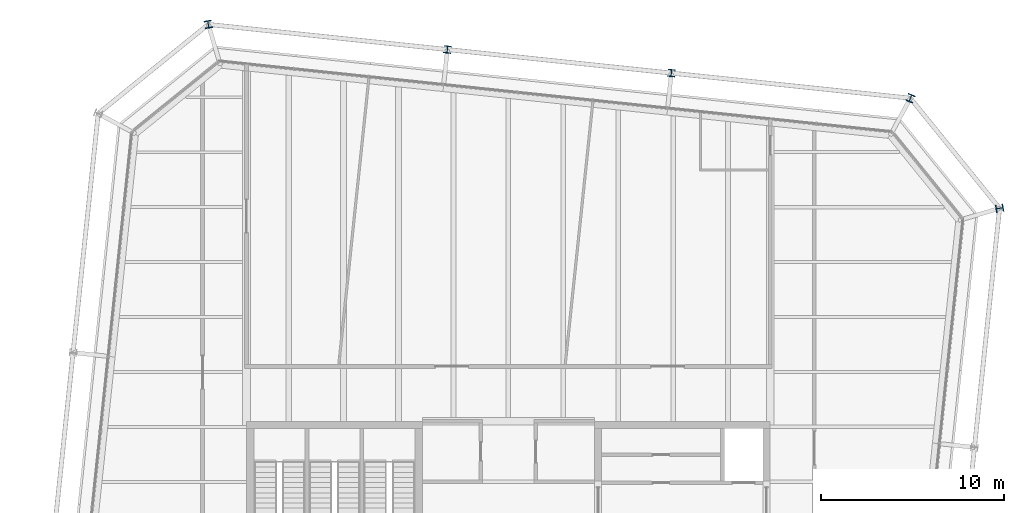
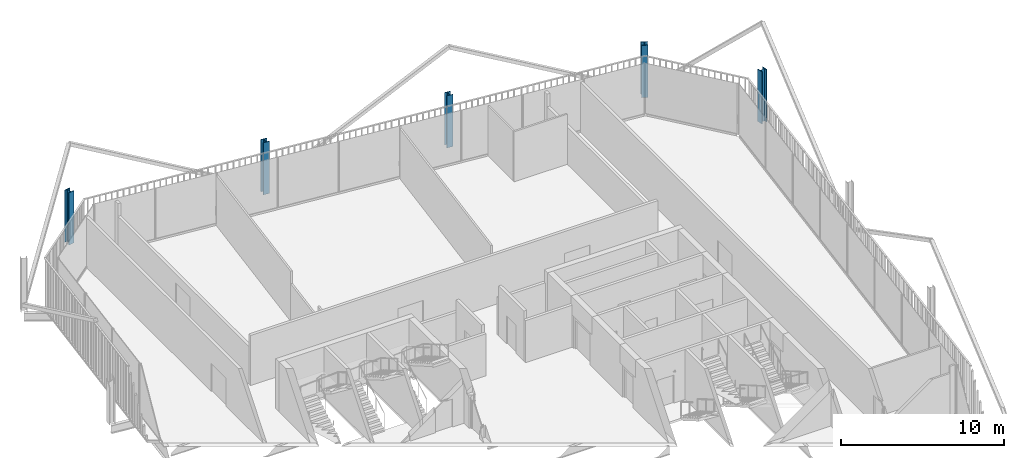
# One storey, part 2 of 21: 5 columns.
"""IFC4 building model written with IfcOpenShell, lengths in metres."""

from ifc_helpers import new_model, si_unit, direction, frame, origin, origin_2d, place, context, subcontext, project, spatial, i_section, extrude, material, material_profile, profile_set, type_object, element, save


model = new_model("IFC4")

# Units and contexts
model_context = context("Model", 3, precision=1e-05, world=origin(), true_north=direction((0.0, 1.0)))
body_context = subcontext(model_context, "Body", "Model", "MODEL_VIEW")
ifc_project = project(units=[si_unit("LENGTHUNIT", "METRE"), si_unit("AREAUNIT", "SQUARE_METRE"), si_unit("VOLUMEUNIT", "CUBIC_METRE"), si_unit("PLANEANGLEUNIT", "RADIAN"), si_unit("MASSUNIT", "GRAM", prefix="KILO")], contexts=[model_context])

# Site, building, storey
site_placement = place(None, origin())
site = spatial("IfcSite", under=ifc_project, at=site_placement, CompositionType="ELEMENT")
building_placement = place(site_placement, origin())
building = spatial("IfcBuilding", under=site, at=building_placement, Name="Millrace Tower", CompositionType="ELEMENT")
storey_placement = place(building_placement, frame((0.0, 0.0, 299.39990234375)))
storey = spatial("IfcBuildingStorey", under=building, at=storey_placement, Name="L69", CompositionType="ELEMENT", Elevation=299.39990234375)

# Columns
ifc_material_1 = material(Name="Steel ASTM A913 Grade 65", Category="steel")
ifc_material_profile_1 = material_profile(ifc_material_1, i_section(OverallWidth=0.4013671875, OverallDepth=0.398681640625, WebThickness=0.02490234375, FlangeThickness=0.03955078125, FilletRadius=0.01513671875, at=origin_2d()))
ifc_profile_set_1 = profile_set([ifc_material_profile_1], Name="Steel ASTM A913 Grade 65")
column_type_1 = type_object("IfcColumnType", Name="Exoskeleton column W14x211", PredefinedType="COLUMN", material=ifc_profile_set_1)
for number, where, z_axis, x_axis, name in (
    (1, (8.9033203125, 28.321533203125, 0.0), (0.0, 0.0, 1.0), (-0.994521897246, 0.104528445407, 0.0), "COL-E-L69-X11"),
    (2, (-3.329345703125, 29.607177734375, 0.0), (0.0, 0.0, 1.0), (-0.994521897246, 0.104528445407, 0.0), "COL-E-L69-X12"),
):
    element("IfcColumn", number, at=place(storey_placement, frame(where, z_axis=z_axis, x_axis=x_axis)), inside=storey, type_object=column_type_1, Name=name, PredefinedType="COLUMN", context=body_context, shape_type="SweptSolid", body=[
        extrude(i_section(OverallWidth=0.4013671875, OverallDepth=0.398681640625, WebThickness=0.02490234375, FlangeThickness=0.03955078125, FilletRadius=0.01513671875, at=origin_2d()), origin(), (0.0, 0.0, 1.0), 3.900146484375),
    ])
ifc_material_2 = material(Name="Steel ASTM A913 Grade 65", Category="steel")
ifc_material_profile_2 = material_profile(ifc_material_2, i_section(OverallWidth=0.406494140625, OverallDepth=0.41650390625, WebThickness=0.030029296875, FlangeThickness=0.048095703125, FilletRadius=0.01513671875, at=origin_2d()))
ifc_profile_set_2 = profile_set([ifc_material_profile_2], Name="Steel ASTM A913 Grade 65")
column_type_2 = type_object("IfcColumnType", Name="Exoskeleton column W14x257", PredefinedType="COLUMN", material=ifc_profile_set_2)
for number, where, z_axis, x_axis, name in (
    (3, (26.82958984375, 20.935791015625, 0.0), (0.0, 0.0, 1.0), (-0.18038747256, 0.983595628164, 0.0), "COL-E-L69-X09"),
    (4, (21.9599609375, 26.94921875, 0.0), (0.0, 0.0, 1.0), (-0.92459700658, 0.380946683176, 0.0), "COL-E-L69-X10"),
    (5, (-16.3857421875, 30.9794921875, 0.0), (0.0, 0.0, 1.0), (-0.983595628164, -0.18038747256, 0.0), "COL-E-L69-X13"),
):
    element("IfcColumn", number, at=place(storey_placement, frame(where, z_axis=z_axis, x_axis=x_axis)), inside=storey, type_object=column_type_2, Name=name, PredefinedType="COLUMN", context=body_context, shape_type="SweptSolid", body=[
        extrude(i_section(OverallWidth=0.406494140625, OverallDepth=0.41650390625, WebThickness=0.030029296875, FlangeThickness=0.048095703125, FilletRadius=0.01513671875, at=origin_2d()), origin(), (0.0, 0.0, 1.0), 3.900146484375),
    ])

save(model, "model.ifc")
